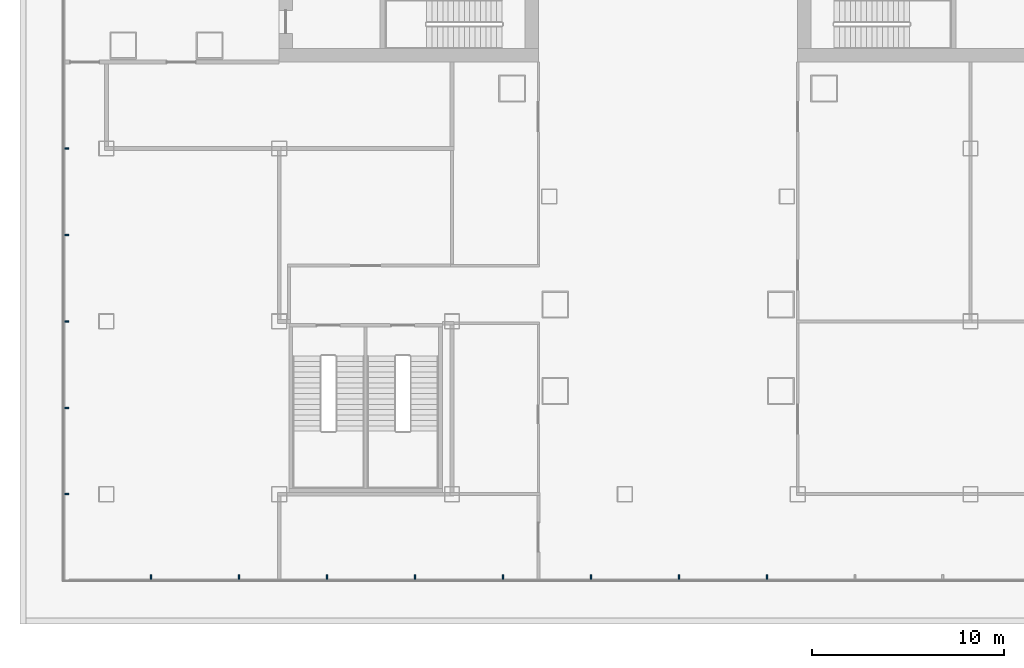
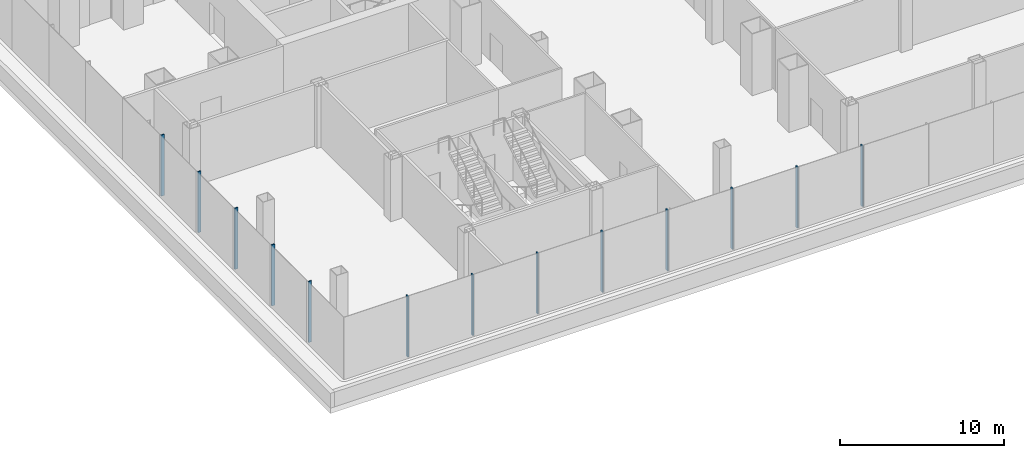
# One storey, part 3 of 33: 13 members, 2 elements without a shape of their own.
"""IFC4 building model written with IfcOpenShell, lengths in metres."""

from ifc_helpers import new_model, si_unit, direction, frame, origin, origin_2d, place, context, subcontext, project, spatial, rectangle, extrude, material, layer, layer_set, material_profile, profile_set, type_object, element, aggregate, save


model = new_model("IFC4")

# Units and contexts
model_context = context("Model", 3, precision=1e-05, world=origin(), true_north=direction((0.0, 1.0)))
body_context = subcontext(model_context, "Body", "Model", "MODEL_VIEW")
ifc_project = project(units=[si_unit("LENGTHUNIT", "METRE"), si_unit("AREAUNIT", "SQUARE_METRE"), si_unit("VOLUMEUNIT", "CUBIC_METRE"), si_unit("PLANEANGLEUNIT", "RADIAN"), si_unit("MASSUNIT", "GRAM", prefix="KILO")], contexts=[model_context])

# Site, building, storey
site_placement = place(None, origin())
site = spatial("IfcSite", under=ifc_project, at=site_placement, CompositionType="ELEMENT")
building_placement = place(site_placement, origin())
building = spatial("IfcBuilding", under=site, at=building_placement, Name="Shamsa Quay Exchange Towers", CompositionType="ELEMENT")
storey_placement = place(building_placement, frame((0.0, 0.0, 18.5)))
storey = spatial("IfcBuildingStorey", under=building, at=storey_placement, Name="L03", CompositionType="ELEMENT", Elevation=18.5)

# Curtain wall, members
ifc_material = material(Name="Aluminium EN AW-6063 T6, black anodised", Category="aluminium")
ifc_layer = layer(ifc_material, 0.33203125)
ifc_layer_set = layer_set([ifc_layer], Name="CW-3 PODIUM SHOPFRONT GLAZING")
curtain_wall_type = type_object("IfcCurtainWallType", Name="CW-3 PODIUM SHOPFRONT GLAZING", PredefinedType="NOTDEFINED", material=ifc_layer_set)
curtain_wall_1_placement = place(storey_placement, origin())
curtain_wall_1 = element("IfcCurtainWall", 1, at=curtain_wall_1_placement, inside=storey, type_object=curtain_wall_type, Name="CW3 PODIUM-L03-F02", PredefinedType="NOTDEFINED")
ifc_material_profile = material_profile(ifc_material, rectangle(XDim=0.219970703125, YDim=0.080078125, at=origin_2d()), Name="MU80x220")
ifc_profile_set = profile_set([ifc_material_profile], Name="Aluminium EN AW-6063 T6, black anodised")
member_type = type_object("IfcMemberType", Name="CW3 MULLION 80x220", PredefinedType="MULLION", material=ifc_profile_set)
member_1_placement = place(storey_placement, frame((-65.06005859375, -11.25, 0.0)))
member_1 = element("IfcMember", 2, at=member_1_placement, type_object=member_type, Name="CW3 mullion", PredefinedType="MULLION", context=body_context, shape_type="SweptSolid", body=[
    extrude(rectangle(XDim=0.219970703125, YDim=0.080078125, at=origin_2d()), origin(), (0.0, 0.0, 1.0), 4.550048828125),
])
member_2_placement = place(storey_placement, frame((-65.06005859375, -15.75, 0.0)))
member_2 = element("IfcMember", 3, at=member_2_placement, type_object=member_type, Name="CW3 mullion", PredefinedType="MULLION", context=body_context, shape_type="SweptSolid", body=[
    extrude(rectangle(XDim=0.219970703125, YDim=0.080078125, at=origin_2d()), origin(), (0.0, 0.0, 1.0), 4.550048828125),
])
member_3_placement = place(storey_placement, frame((-65.06005859375, -20.25, 0.0)))
member_3 = element("IfcMember", 4, at=member_3_placement, type_object=member_type, Name="CW3 mullion", PredefinedType="MULLION", context=body_context, shape_type="SweptSolid", body=[
    extrude(rectangle(XDim=0.219970703125, YDim=0.080078125, at=origin_2d()), origin(), (0.0, 0.0, 1.0), 4.550048828125),
])
member_4_placement = place(storey_placement, frame((-65.06005859375, -24.75, 0.0)))
member_4 = element("IfcMember", 5, at=member_4_placement, type_object=member_type, Name="CW3 mullion", PredefinedType="MULLION", context=body_context, shape_type="SweptSolid", body=[
    extrude(rectangle(XDim=0.219970703125, YDim=0.080078125, at=origin_2d()), origin(), (0.0, 0.0, 1.0), 4.550048828125),
])
member_5_placement = place(storey_placement, frame((-65.06005859375, -29.25, 0.0)))
member_5 = element("IfcMember", 6, at=member_5_placement, type_object=member_type, Name="CW3 mullion", PredefinedType="MULLION", context=body_context, shape_type="SweptSolid", body=[
    extrude(rectangle(XDim=0.219970703125, YDim=0.080078125, at=origin_2d()), origin(), (0.0, 0.0, 1.0), 4.550048828125),
])
aggregate(curtain_wall_1, [member_1, member_2, member_3, member_4, member_5])

curtain_wall_2_placement = place(storey_placement, origin())
curtain_wall_2 = element("IfcCurtainWall", 7, at=curtain_wall_2_placement, inside=storey, type_object=curtain_wall_type, Name="CW3 PODIUM-L03-F03", PredefinedType="NOTDEFINED")
member_6_placement = place(storey_placement, frame((-60.669677734375, -33.56005859375, 0.0), z_axis=(0.0, 0.0, 1.0), x_axis=(0.0, 1.0, 0.0)))
member_6 = element("IfcMember", 8, at=member_6_placement, type_object=member_type, Name="CW3 mullion", PredefinedType="MULLION", context=body_context, shape_type="SweptSolid", body=[
    extrude(rectangle(XDim=0.219970703125, YDim=0.080078125, at=origin_2d()), origin(), (0.0, 0.0, 1.0), 4.550048828125),
])
member_7_placement = place(storey_placement, frame((-56.08935546875, -33.56005859375, 0.0), z_axis=(0.0, 0.0, 1.0), x_axis=(0.0, 1.0, 0.0)))
member_7 = element("IfcMember", 9, at=member_7_placement, type_object=member_type, Name="CW3 mullion", PredefinedType="MULLION", context=body_context, shape_type="SweptSolid", body=[
    extrude(rectangle(XDim=0.219970703125, YDim=0.080078125, at=origin_2d()), origin(), (0.0, 0.0, 1.0), 4.550048828125),
])
member_8_placement = place(storey_placement, frame((-51.509033203125, -33.56005859375, 0.0), z_axis=(0.0, 0.0, 1.0), x_axis=(0.0, 1.0, 0.0)))
member_8 = element("IfcMember", 10, at=member_8_placement, type_object=member_type, Name="CW3 mullion", PredefinedType="MULLION", context=body_context, shape_type="SweptSolid", body=[
    extrude(rectangle(XDim=0.219970703125, YDim=0.080078125, at=origin_2d()), origin(), (0.0, 0.0, 1.0), 4.550048828125),
])
member_9_placement = place(storey_placement, frame((-46.928466796875, -33.56005859375, 0.0), z_axis=(0.0, 0.0, 1.0), x_axis=(0.0, 1.0, 0.0)))
member_9 = element("IfcMember", 11, at=member_9_placement, type_object=member_type, Name="CW3 mullion", PredefinedType="MULLION", context=body_context, shape_type="SweptSolid", body=[
    extrude(rectangle(XDim=0.219970703125, YDim=0.080078125, at=origin_2d()), origin(), (0.0, 0.0, 1.0), 4.550048828125),
])
member_10_placement = place(storey_placement, frame((-42.34814453125, -33.56005859375, 0.0), z_axis=(0.0, 0.0, 1.0), x_axis=(0.0, 1.0, 0.0)))
member_10 = element("IfcMember", 12, at=member_10_placement, type_object=member_type, Name="CW3 mullion", PredefinedType="MULLION", context=body_context, shape_type="SweptSolid", body=[
    extrude(rectangle(XDim=0.219970703125, YDim=0.080078125, at=origin_2d()), origin(), (0.0, 0.0, 1.0), 4.550048828125),
])
member_11_placement = place(storey_placement, frame((-37.767822265625, -33.56005859375, 0.0), z_axis=(0.0, 0.0, 1.0), x_axis=(0.0, 1.0, 0.0)))
member_11 = element("IfcMember", 13, at=member_11_placement, type_object=member_type, Name="CW3 mullion", PredefinedType="MULLION", context=body_context, shape_type="SweptSolid", body=[
    extrude(rectangle(XDim=0.219970703125, YDim=0.080078125, at=origin_2d()), origin(), (0.0, 0.0, 1.0), 4.550048828125),
])
member_12_placement = place(storey_placement, frame((-33.1875, -33.56005859375, 0.0), z_axis=(0.0, 0.0, 1.0), x_axis=(0.0, 1.0, 0.0)))
member_12 = element("IfcMember", 14, at=member_12_placement, type_object=member_type, Name="CW3 mullion", PredefinedType="MULLION", context=body_context, shape_type="SweptSolid", body=[
    extrude(rectangle(XDim=0.219970703125, YDim=0.080078125, at=origin_2d()), origin(), (0.0, 0.0, 1.0), 4.550048828125),
])
member_13_placement = place(storey_placement, frame((-28.607177734375, -33.56005859375, 0.0), z_axis=(0.0, 0.0, 1.0), x_axis=(0.0, 1.0, 0.0)))
member_13 = element("IfcMember", 15, at=member_13_placement, type_object=member_type, Name="CW3 mullion", PredefinedType="MULLION", context=body_context, shape_type="SweptSolid", body=[
    extrude(rectangle(XDim=0.219970703125, YDim=0.080078125, at=origin_2d()), origin(), (0.0, 0.0, 1.0), 4.550048828125),
])
aggregate(curtain_wall_2, [member_6, member_7, member_8, member_9, member_10, member_11, member_12, member_13])

save(model, "model.ifc")
